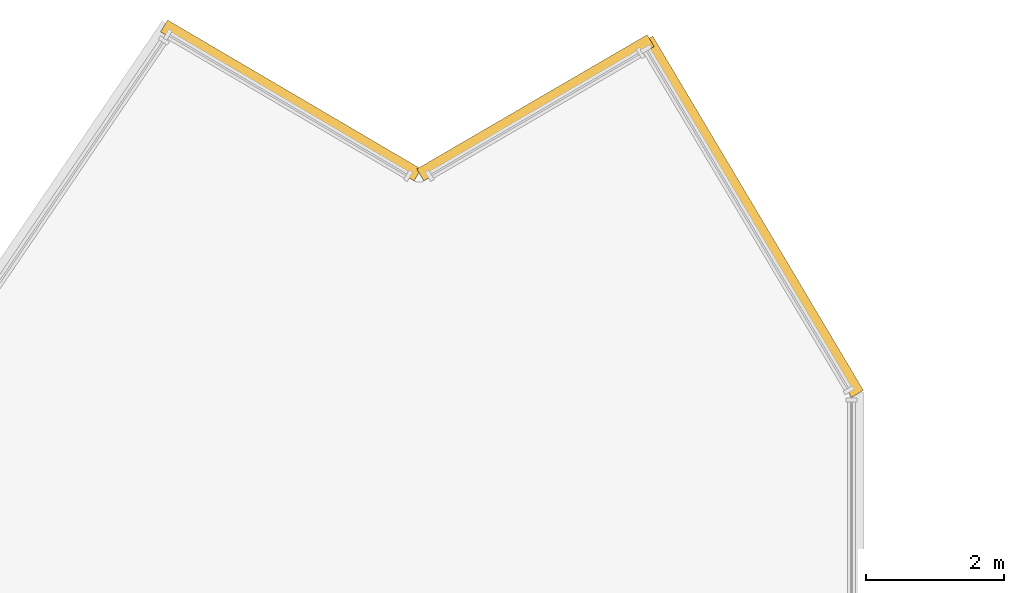
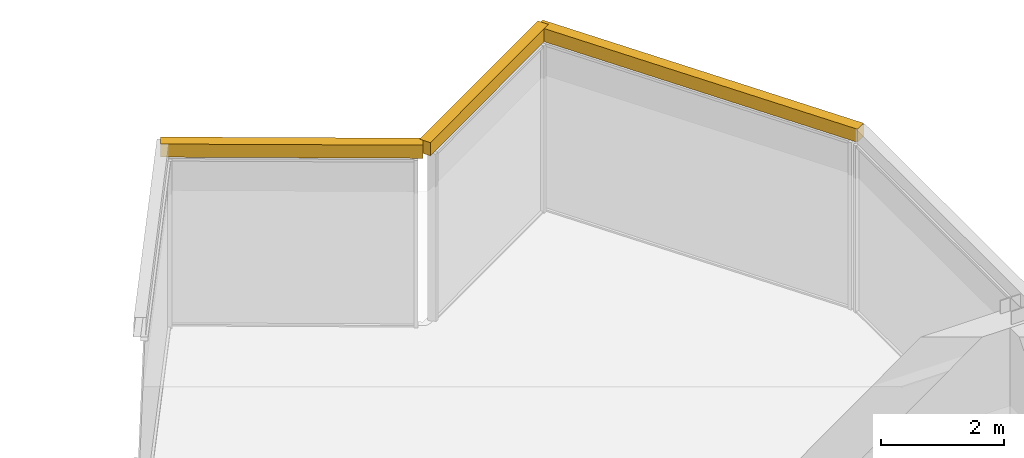
# One storey, part 14 of 15: 3 coverings.
"""IFC4 building model written with IfcOpenShell, lengths in metres."""

from ifc_helpers import new_model, si_unit, direction, frame, origin, place, context, subcontext, project, spatial, polyline, outline, extrude, material, layer, layer_set, type_object, element, save


model = new_model("IFC4")

# Units and contexts
model_context = context("Model", 3, precision=1e-05, world=origin(), true_north=direction((0.0, 1.0)))
body_context = subcontext(model_context, "Body", "Model", "MODEL_VIEW")
ifc_project = project(units=[si_unit("LENGTHUNIT", "METRE"), si_unit("AREAUNIT", "SQUARE_METRE"), si_unit("VOLUMEUNIT", "CUBIC_METRE"), si_unit("PLANEANGLEUNIT", "RADIAN"), si_unit("MASSUNIT", "GRAM", prefix="KILO")], contexts=[model_context])

# Site, building, storey
site_placement = place(None, origin())
site = spatial("IfcSite", under=ifc_project, at=site_placement, CompositionType="ELEMENT")
building_placement = place(site_placement, origin())
building = spatial("IfcBuilding", under=site, at=building_placement, Name="Savorim Split Tower", CompositionType="ELEMENT")
storey_placement = place(building_placement, frame((0.0, 0.0, 304.800048828125)))
storey = spatial("IfcBuildingStorey", under=building, at=storey_placement, Name="Crown L81 Plant", CompositionType="ELEMENT", Elevation=304.800048828125)

# Coverings
ifc_material = material(Name="Terracotta Ceramic-Coated Aluminium Fin", Category="masonry")
ifc_layer = layer(ifc_material, 0.050048828125)
ifc_layer_set = layer_set([ifc_layer], Name="COV-CLAD-TERRA")
covering_type = type_object("IfcCoveringType", Name="COV-CLAD-TERRA", PredefinedType="CLADDING", material=ifc_layer_set)
covering_1_placement = place(storey_placement, frame((0.0, 0.0, 3.33984375)))
element("IfcCovering", 1, at=covering_1_placement, inside=storey, type_object=covering_type, Name="Crown L81 Plant Sloped Crest Eave Spandrel W2", PredefinedType="CLADDING", context=body_context, shape_type="SweptSolid", body=[
    extrude(outline(polyline([(8.1015625, 15.84326171875), (5.04931640625, 20.976318359375), (4.87744140625, 20.873779296875), (7.9296875, 15.740966796875), (8.1015625, 15.84326171875)])), origin(), (0.0, 0.0, 1.0), 0.260009765625),
])
covering_2_placement = place(storey_placement, frame((0.0, 0.0, 3.33984375)))
element("IfcCovering", 2, at=covering_2_placement, inside=storey, type_object=covering_type, Name="Crown L81 Plant Sloped Crest Eave Spandrel W3", PredefinedType="CLADDING", context=body_context, shape_type="SweptSolid", body=[
    extrude(outline(polyline([(4.967529296875, 20.997314453125), (1.629638671875, 19.052001953125), (1.730224609375, 18.879150390625), (5.068359375, 20.824462890625), (4.967529296875, 20.997314453125)])), origin(), (0.0, 0.0, 1.0), 0.260009765625),
])
covering_3_placement = place(storey_placement, frame((0.0, 0.0, 3.33984375)))
element("IfcCovering", 3, at=covering_3_placement, inside=storey, type_object=covering_type, Name="Crown L81 Plant Sloped Crest Eave Spandrel W4", PredefinedType="CLADDING", context=body_context, shape_type="SweptSolid", body=[
    extrude(outline(polyline([(1.690185546875, 19.0517578125), (-1.9833984375, 21.210693359375), (-2.084716796875, 21.038330078125), (1.5888671875, 18.87939453125), (1.690185546875, 19.0517578125)])), origin(), (0.0, 0.0, 1.0), 0.260009765625),
])

save(model, "model.ifc")
